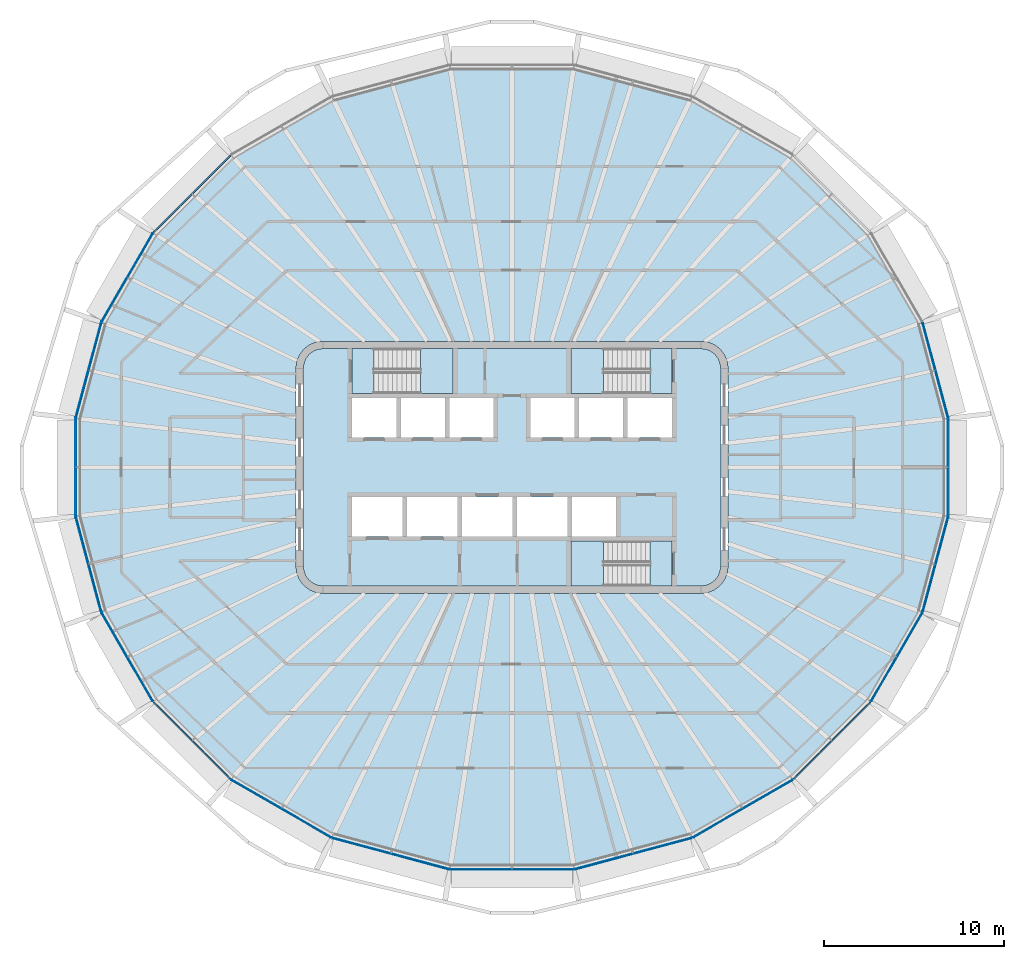
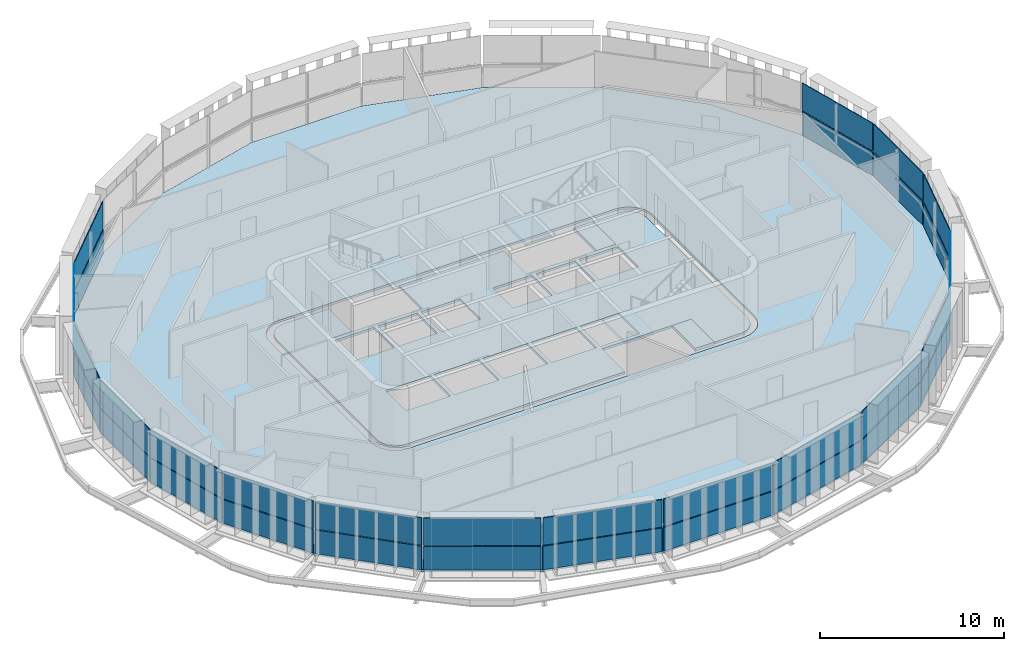
# One storey, part 7 of 18: 34 plates, 8 slabs, 20 elements without a shape of their own.
"""IFC4 building model written with IfcOpenShell, lengths in metres."""

from ifc_helpers import new_model, si_unit, direction, frame, origin, place, context, subcontext, project, spatial, polyline, outline, extrude, material, layer, layer_set, type_object, element, aggregate, save


model = new_model("IFC4")

# Units and contexts
model_context = context("Model", 3, precision=1e-05, world=origin(), true_north=direction((0.0, 1.0)))
body_context = subcontext(model_context, "Body", "Model", "MODEL_VIEW")
ifc_project = project(units=[si_unit("LENGTHUNIT", "METRE"), si_unit("AREAUNIT", "SQUARE_METRE"), si_unit("VOLUMEUNIT", "CUBIC_METRE"), si_unit("PLANEANGLEUNIT", "RADIAN"), si_unit("MASSUNIT", "GRAM", prefix="KILO")], contexts=[model_context])

# Site, building, storey
site_placement = place(None, origin())
site = spatial("IfcSite", under=ifc_project, at=site_placement, CompositionType="ELEMENT")
building_placement = place(site_placement, origin())
building = spatial("IfcBuilding", under=site, at=building_placement, Name="Sahrelin Media Tower", CompositionType="ELEMENT")
storey_placement = place(building_placement, frame((0.0, 0.0, 320.39990234375)))
storey = spatial("IfcBuildingStorey", under=building, at=storey_placement, Name="L71", CompositionType="ELEMENT", Elevation=320.39990234375)

# Slabs
ifc_material_1 = material(Name="Concrete C40/50", Category="concrete")
ifc_layer_1 = layer(ifc_material_1, 0.14990234375)
ifc_layer_set_1 = layer_set([ifc_layer_1], Name="Composite floor slab 150")
slab_type_1 = type_object("IfcSlabType", Name="Composite floor slab 150", PredefinedType="FLOOR", material=ifc_layer_set_1)
placement_1 = place(storey_placement, frame((0.0, 0.0, -0.14990234375)))
element("IfcSlab", 1, at=placement_1, inside=storey, type_object=slab_type_1, Name="Floor slab L71", PredefinedType="FLOOR", context=body_context, shape_type="SweptSolid", body=[
    extrude(outline(polyline([(24.22265625, -2.71728515625), (24.22265625, 2.71728515625), (22.794921875, 8.0458984375), (19.919677734375, 13.02587890625), (15.6083984375, 17.3369140625), (9.998779296875, 20.575927734375), (3.44873046875, 22.330810546875), (-3.44873046875, 22.330810546875), (-9.998779296875, 20.575927734375), (-15.6083984375, 17.3369140625), (-19.919677734375, 13.02587890625), (-22.794921875, 8.0458984375), (-24.22265625, 2.71728515625), (-24.22265625, -2.71728515625), (-22.794921875, -8.0458984375), (-19.919677734375, -13.02587890625), (-15.6083984375, -17.3369140625), (-9.998779296875, -20.575927734375), (-3.44873046875, -22.330810546875), (3.44873046875, -22.330810546875), (9.998779296875, -20.575927734375), (15.6083984375, -17.3369140625), (19.919677734375, -13.02587890625), (22.794921875, -8.0458984375), (24.22265625, -2.71728515625)]), holes=[polyline([(11.948974609375, 5.88818359375), (12.0, 5.5), (12.0, -5.5), (11.948974609375, -5.88818359375), (11.799072265625, -6.25), (11.560791015625, -6.560791015625), (11.25, -6.799072265625), (10.88818359375, -6.948974609375), (10.5, -7.0), (-10.5, -7.0), (-10.88818359375, -6.948974609375), (-11.25, -6.799072265625), (-11.560791015625, -6.560791015625), (-11.799072265625, -6.25), (-11.948974609375, -5.88818359375), (-12.0, -5.5), (-12.0, 5.5), (-11.948974609375, 5.88818359375), (-11.799072265625, 6.25), (-11.560791015625, 6.560791015625), (-11.25, 6.799072265625), (-10.88818359375, 6.948974609375), (-10.5, 7.0), (10.5, 7.0), (10.88818359375, 6.948974609375), (11.25, 6.799072265625), (11.560791015625, 6.560791015625), (11.799072265625, 6.25), (11.948974609375, 5.88818359375)])]), origin(), (0.0, 0.0, 1.0), 0.14990234375),
])
ifc_layer_2 = layer(ifc_material_1, 0.14990234375)
ifc_layer_set_2 = layer_set([ifc_layer_2], Name="Core floor slab 150")
slab_type_2 = type_object("IfcSlabType", Name="Core floor slab 150", PredefinedType="FLOOR", material=ifc_layer_set_2)
element("IfcSlab", 2, at=placement_1, inside=storey, type_object=slab_type_2, Name="Core floor", PredefinedType="FLOOR", context=body_context, shape_type="SweptSolid", body=[
    extrude(outline(polyline([(-11.60009765625, -5.473876953125), (-11.55908203125, -5.78369140625), (-11.44970703125, -6.04833984375), (-11.275390625, -6.275390625), (-11.04833984375, -6.44970703125), (-10.78369140625, -6.55908203125), (-10.473876953125, -6.60009765625), (3.27490234375, -6.60009765625), (3.27490234375, -4.10009765625), (8.875, -4.10009765625), (8.875, -6.60009765625), (10.473876953125, -6.60009765625), (10.78369140625, -6.55908203125), (11.04833984375, -6.44970703125), (11.275390625, -6.275390625), (11.44970703125, -6.04833984375), (11.55908203125, -5.78369140625), (11.60009765625, -5.473876953125), (11.60009765625, 5.473876953125), (11.55908203125, 5.78369140625), (11.44970703125, 6.04833984375), (11.275390625, 6.275390625), (11.04833984375, 6.44970703125), (10.78369140625, 6.55908203125), (10.473876953125, 6.60009765625), (8.875, 6.60009765625), (8.875, 4.10009765625), (3.27490234375, 4.10009765625), (3.27490234375, 6.60009765625), (-3.27490234375, 6.60009765625), (-3.27490234375, 4.10009765625), (-8.875, 4.10009765625), (-8.875, 6.60009765625), (-10.473876953125, 6.60009765625), (-10.78369140625, 6.55908203125), (-11.04833984375, 6.44970703125), (-11.275390625, 6.275390625), (-11.44970703125, 6.04833984375), (-11.55908203125, 5.78369140625), (-11.60009765625, 5.473876953125), (-11.60009765625, -5.473876953125)]), holes=[polyline([(-8.875, 3.85009765625), (-8.875, 1.64990234375), (-6.425048828125, 1.64990234375), (-6.425048828125, 3.85009765625), (-8.875, 3.85009765625)]), polyline([(-3.72509765625, 3.85009765625), (-6.175048828125, 3.85009765625), (-6.175048828125, 1.64990234375), (-3.72509765625, 1.64990234375), (-3.72509765625, 3.85009765625)]), polyline([(-1.02490234375, 1.64990234375), (-1.02490234375, 3.85009765625), (-3.47509765625, 3.85009765625), (-3.47509765625, 1.64990234375), (-1.02490234375, 1.64990234375)]), polyline([(1.02490234375, 1.64990234375), (3.47509765625, 1.64990234375), (3.47509765625, 3.85009765625), (1.02490234375, 3.85009765625), (1.02490234375, 1.64990234375)]), polyline([(3.72509765625, 3.85009765625), (3.72509765625, 1.64990234375), (6.175048828125, 1.64990234375), (6.175048828125, 3.85009765625), (3.72509765625, 3.85009765625)]), polyline([(8.875, 3.85009765625), (6.425048828125, 3.85009765625), (6.425048828125, 1.64990234375), (8.875, 1.64990234375), (8.875, 3.85009765625)]), polyline([(-6.074951171875, -3.85009765625), (-6.074951171875, -1.64990234375), (-8.875, -1.64990234375), (-8.875, -3.85009765625), (-6.074951171875, -3.85009765625)]), polyline([(-5.824951171875, -3.85009765625), (-3.02490234375, -3.85009765625), (-3.02490234375, -1.64990234375), (-5.824951171875, -1.64990234375), (-5.824951171875, -3.85009765625)]), polyline([(-2.77490234375, -1.64990234375), (-2.77490234375, -3.85009765625), (0.02490234375, -3.85009765625), (0.02490234375, -1.64990234375), (-2.77490234375, -1.64990234375)]), polyline([(3.074951171875, -1.64990234375), (0.27490234375, -1.64990234375), (0.27490234375, -3.85009765625), (3.074951171875, -3.85009765625), (3.074951171875, -1.64990234375)]), polyline([(5.77490234375, -3.85009765625), (5.77490234375, -1.64990234375), (3.324951171875, -1.64990234375), (3.324951171875, -3.85009765625), (5.77490234375, -3.85009765625)])]), origin(), (0.0, 0.0, 1.0), 0.14990234375),
])

# Curtain wall, plate
ifc_material_2 = material(Name="Champagne anodised aluminium 6063-T6", Category="aluminium")
ifc_layer_3 = layer(ifc_material_2, 0.14990234375)
ifc_layer_set_3 = layer_set([ifc_layer_3], Name="Tower ribbon curtain wall")
curtain_wall_type = type_object("IfcCurtainWallType", Name="Tower ribbon curtain wall", PredefinedType="NOTDEFINED", material=ifc_layer_set_3)
curtain_wall_1_placement = place(storey_placement, frame((24.24267578125, 0.0, 0.0), z_axis=(0.0, 0.0, 1.0), x_axis=(1.0, 0.0, 0.0)))
curtain_wall_1 = element("IfcCurtainWall", 3, at=curtain_wall_1_placement, inside=storey, type_object=curtain_wall_type, Name="L71:CW:L71-00", PredefinedType="NOTDEFINED")
ifc_material_3 = material(Name="Clear low-iron glazing", Category="glass")
ifc_layer_4 = layer(ifc_material_3, 0.048095703125)
ifc_layer_set_4 = layer_set([ifc_layer_4], Name="Glazing panel 48 mm CW1C")
plate_type_1 = type_object("IfcPlateType", Name="Glazing panel 48 mm CW1C", PredefinedType="CURTAIN_PANEL", material=ifc_layer_set_4)
plate_1_placement = place(storey_placement, frame((24.2626953125, -2.669921875, 1.630126953125), z_axis=(1.0, 0.0, 0.0), x_axis=(0.0, 1.0, 0.0)))
plate_1 = element("IfcPlate", 4, at=plate_1_placement, type_object=plate_type_1, Name="L71:CWP2:L71-00", PredefinedType="CURTAIN_PANEL", context=body_context, shape_type="SweptSolid", body=[
    extrude(outline(polyline([(0.0, 0.0), (5.33984375, 0.0), (5.33984375, 1.818603515625), (0.0, 1.818603515625), (0.0, 0.0)])), origin(), (0.0, 0.0, -1.0), 0.048095703125),
])

curtain_wall_2_placement = place(storey_placement, frame((23.5283203125, 5.38671875, 0.0), z_axis=(0.0, 0.0, 1.0), x_axis=(1.0, 0.0, 0.0)))
curtain_wall_2 = element("IfcCurtainWall", 5, at=curtain_wall_2_placement, inside=storey, type_object=curtain_wall_type, Name="L71:CW:L71-01", PredefinedType="NOTDEFINED")
plate_2_placement = place(storey_placement, frame((24.2490234375, 2.7734375, 1.630126953125), z_axis=(0.965934585463, 0.258786353208, 0.0), x_axis=(-0.258786353208, 0.965934585463, 0.0)))
plate_2 = element("IfcPlate", 6, at=plate_2_placement, type_object=plate_type_1, Name="L71:CWP2:L71-01", PredefinedType="CURTAIN_PANEL", context=body_context, shape_type="SweptSolid", body=[
    extrude(outline(polyline([(0.0, 0.0), (5.421875, 0.0), (5.421875, 1.818603515625), (0.0, 1.818603515625), (0.0, 0.0)])), origin(), (0.0, 0.0, -1.0), 0.048095703125),
])

curtain_wall_3_placement = place(storey_placement, frame((-17.7783203125, 15.195556640625, 0.0), z_axis=(0.0, 0.0, 1.0), x_axis=(1.0, 0.0, 0.0)))
curtain_wall_3 = element("IfcCurtainWall", 7, at=curtain_wall_3_placement, inside=storey, type_object=curtain_wall_type, Name="L71:CW:L71-09", PredefinedType="NOTDEFINED")
plate_3_placement = place(storey_placement, frame((-15.67041015625, 17.331787109375, 1.630126953125), z_axis=(-0.707106781187, 0.707106781187, 0.0), x_axis=(-0.707106781187, -0.707106781187, 0.0)))
plate_3 = element("IfcPlate", 8, at=plate_3_placement, type_object=plate_type_1, Name="L71:CWP2:L71-09", PredefinedType="CURTAIN_PANEL", context=body_context, shape_type="SweptSolid", body=[
    extrude(outline(polyline([(0.0, 0.0), (6.002197265625, 0.0), (6.002197265625, 1.818603515625), (0.0, 1.818603515625), (0.0, 0.0)])), origin(), (0.0, 0.0, -1.0), 0.048095703125),
])

curtain_wall_4_placement = place(storey_placement, frame((-21.374755859375, 10.5458984375, 0.0), z_axis=(0.0, 0.0, 1.0), x_axis=(1.0, 0.0, 0.0)))
curtain_wall_4 = element("IfcCurtainWall", 9, at=curtain_wall_4_placement, inside=storey, type_object=curtain_wall_type, Name="L71:CW:L71-10", PredefinedType="NOTDEFINED")
plate_4_placement = place(storey_placement, frame((-19.97802734375, 13.0048828125, 1.630126953125), z_axis=(-0.866032477425, 0.499987747895, 0.0), x_axis=(-0.499987747895, -0.866032477425, 0.0)))
plate_4 = element("IfcPlate", 10, at=plate_4_placement, type_object=plate_type_1, Name="L71:CWP2:L71-10", PredefinedType="CURTAIN_PANEL", context=body_context, shape_type="SweptSolid", body=[
    extrude(outline(polyline([(0.0, 0.0), (5.656005859375, 0.0), (5.656005859375, 1.818603515625), (0.0, 1.818603515625), (0.0, 0.0)])), origin(), (0.0, 0.0, -1.0), 0.048095703125),
])

curtain_wall_5_placement = place(storey_placement, frame((-23.5283203125, 5.38671875, 0.0), z_axis=(0.0, 0.0, 1.0), x_axis=(1.0, 0.0, 0.0)))
curtain_wall_5 = element("IfcCurtainWall", 11, at=curtain_wall_5_placement, inside=storey, type_object=curtain_wall_type, Name="L71:CW:L71-11", PredefinedType="NOTDEFINED")
plate_5_placement = place(storey_placement, frame((-22.845947265625, 8.010498046875, 1.630126953125), z_axis=(-0.965934585463, 0.258786353208, 0.0), x_axis=(-0.258786353208, -0.965934585463, 0.0)))
plate_5 = element("IfcPlate", 12, at=plate_5_placement, type_object=plate_type_1, Name="L71:CWP2:L71-11", PredefinedType="CURTAIN_PANEL", context=body_context, shape_type="SweptSolid", body=[
    extrude(outline(polyline([(0.0, 0.0), (5.421875, 0.0), (5.421875, 1.818603515625), (0.0, 1.818603515625), (0.0, 0.0)])), origin(), (0.0, 0.0, -1.0), 0.048095703125),
])

curtain_wall_6_placement = place(storey_placement, frame((-24.24267578125, 0.0, 0.0), z_axis=(0.0, 0.0, 1.0), x_axis=(1.0, 0.0, 0.0)))
curtain_wall_6 = element("IfcCurtainWall", 13, at=curtain_wall_6_placement, inside=storey, type_object=curtain_wall_type, Name="L71:CW:L71-12", PredefinedType="NOTDEFINED")
plate_6_placement = place(storey_placement, frame((-24.2626953125, 2.669921875, 1.630126953125), z_axis=(-1.0, 0.0, 0.0), x_axis=(0.0, -1.0, 0.0)))
plate_6 = element("IfcPlate", 14, at=plate_6_placement, type_object=plate_type_1, Name="L71:CWP2:L71-12", PredefinedType="CURTAIN_PANEL", context=body_context, shape_type="SweptSolid", body=[
    extrude(outline(polyline([(0.0, 0.0), (5.33984375, 0.0), (5.33984375, 1.818603515625), (0.0, 1.818603515625), (0.0, 0.0)])), origin(), (0.0, 0.0, -1.0), 0.048095703125),
])

curtain_wall_7_placement = place(storey_placement, frame((-23.5283203125, -5.38671875, 0.0), z_axis=(0.0, 0.0, 1.0), x_axis=(1.0, 0.0, 0.0)))
curtain_wall_7 = element("IfcCurtainWall", 15, at=curtain_wall_7_placement, inside=storey, type_object=curtain_wall_type, Name="L71:CW:L71-13", PredefinedType="NOTDEFINED")
plate_7_placement = place(storey_placement, frame((-24.2490234375, -2.7734375, 1.630126953125), z_axis=(-0.965934585463, -0.258786353208, 0.0), x_axis=(0.258786353208, -0.965934585463, 0.0)))
plate_7 = element("IfcPlate", 16, at=plate_7_placement, type_object=plate_type_1, Name="L71:CWP2:L71-13", PredefinedType="CURTAIN_PANEL", context=body_context, shape_type="SweptSolid", body=[
    extrude(outline(polyline([(0.0, 0.0), (5.421875, 0.0), (5.421875, 1.818603515625), (0.0, 1.818603515625), (0.0, 0.0)])), origin(), (0.0, 0.0, -1.0), 0.048095703125),
])

curtain_wall_8_placement = place(storey_placement, frame((-21.37451171875, -10.5458984375, 0.0), z_axis=(0.0, 0.0, 1.0), x_axis=(1.0, 0.0, 0.0)))
curtain_wall_8 = element("IfcCurtainWall", 17, at=curtain_wall_8_placement, inside=storey, type_object=curtain_wall_type, Name="L71:CW:L71-14", PredefinedType="NOTDEFINED")
plate_8_placement = place(storey_placement, frame((-22.805908203125, -8.106689453125, 1.630126953125), z_axis=(-0.866032477425, -0.499987747895, 0.0), x_axis=(0.499987747895, -0.866032477425, 0.0)))
plate_8 = element("IfcPlate", 18, at=plate_8_placement, type_object=plate_type_1, Name="L71:CWP2:L71-14", PredefinedType="CURTAIN_PANEL", context=body_context, shape_type="SweptSolid", body=[
    extrude(outline(polyline([(0.0, 0.0), (5.656005859375, 0.0), (5.656005859375, 1.818603515625), (0.0, 1.818603515625), (0.0, 0.0)])), origin(), (0.0, 0.0, -1.0), 0.048095703125),
])

curtain_wall_9_placement = place(storey_placement, frame((-17.7783203125, -15.195556640625, 0.0), z_axis=(0.0, 0.0, 1.0), x_axis=(1.0, 0.0, 0.0)))
curtain_wall_9 = element("IfcCurtainWall", 19, at=curtain_wall_9_placement, inside=storey, type_object=curtain_wall_type, Name="L71:CW:L71-15", PredefinedType="NOTDEFINED")
plate_9_placement = place(storey_placement, frame((-19.91455078125, -13.087646484375, 1.630126953125), z_axis=(-0.707106781187, -0.707106781187, 0.0), x_axis=(0.707106781187, -0.707106781187, 0.0)))
plate_9 = element("IfcPlate", 20, at=plate_9_placement, type_object=plate_type_1, Name="L71:CWP2:L71-15", PredefinedType="CURTAIN_PANEL", context=body_context, shape_type="SweptSolid", body=[
    extrude(outline(polyline([(0.0, 0.0), (6.002197265625, 0.0), (6.002197265625, 1.818603515625), (0.0, 1.818603515625), (0.0, 0.0)])), origin(), (0.0, 0.0, -1.0), 0.048095703125),
])

curtain_wall_10_placement = place(storey_placement, frame((-12.813720703125, -18.973876953125, 0.0), z_axis=(0.0, 0.0, 1.0), x_axis=(1.0, 0.0, 0.0)))
curtain_wall_10 = element("IfcCurtainWall", 21, at=curtain_wall_10_placement, inside=storey, type_object=curtain_wall_type, Name="L71:CW:L71-16", PredefinedType="NOTDEFINED")
plate_10_placement = place(storey_placement, frame((-15.58740234375, -17.395263671875, 1.630126953125), z_axis=(-0.500034784257, -0.866005320153, 0.0), x_axis=(0.866005320153, -0.500034784257, 0.0)))
plate_10 = element("IfcPlate", 22, at=plate_10_placement, type_object=plate_type_1, Name="L71:CWP2:L71-16", PredefinedType="CURTAIN_PANEL", context=body_context, shape_type="SweptSolid", body=[
    extrude(outline(polyline([(0.0, 0.0), (6.3828125, 0.0), (6.3828125, 1.818603515625), (0.0, 1.818603515625), (0.0, 0.0)])), origin(), (0.0, 0.0, -1.0), 0.048095703125),
])

curtain_wall_11_placement = place(storey_placement, frame((-6.72900390625, -21.47265625, 0.0), z_axis=(0.0, 0.0, 1.0), x_axis=(1.0, 0.0, 0.0)))
curtain_wall_11 = element("IfcCurtainWall", 23, at=curtain_wall_11_placement, inside=storey, type_object=curtain_wall_type, Name="L71:CW:L71-17", PredefinedType="NOTDEFINED")
plate_11_placement = place(storey_placement, frame((-9.96337890625, -20.626708984375, 1.630126953125), z_axis=(-0.25884194039, -0.965919691224, 0.0), x_axis=(0.965919691224, -0.25884194039, 0.0)))
plate_11 = element("IfcPlate", 24, at=plate_11_placement, type_object=plate_type_1, Name="L71:CWP2:L71-17", PredefinedType="CURTAIN_PANEL", context=body_context, shape_type="SweptSolid", body=[
    extrude(outline(polyline([(0.0, 0.0), (6.686279296875, 0.0), (6.686279296875, 1.818603515625), (0.0, 1.818603515625), (0.0, 0.0)])), origin(), (0.0, 0.0, -1.0), 0.048095703125),
])

curtain_wall_12_placement = place(storey_placement, frame((0.0, -22.350830078125, 0.0), z_axis=(0.0, 0.0, 1.0), x_axis=(1.0, 0.0, 0.0)))
curtain_wall_12 = element("IfcCurtainWall", 25, at=curtain_wall_12_placement, inside=storey, type_object=curtain_wall_type, Name="L71:CW:L71-18", PredefinedType="NOTDEFINED")
plate_12_placement = place(storey_placement, frame((-3.4013671875, -22.370849609375, 1.630126953125), z_axis=(0.0, -1.0, 0.0), x_axis=(1.0, 0.0, 0.0)))
plate_12 = element("IfcPlate", 26, at=plate_12_placement, type_object=plate_type_1, Name="L71:CWP2:L71-18", PredefinedType="CURTAIN_PANEL", context=body_context, shape_type="SweptSolid", body=[
    extrude(outline(polyline([(0.0, 0.0), (6.802734375, 0.0), (6.802734375, 1.818603515625), (0.0, 1.818603515625), (0.0, 0.0)])), origin(), (0.0, 0.0, -1.0), 0.048095703125),
])

curtain_wall_13_placement = place(storey_placement, frame((6.72900390625, -21.47265625, 0.0), z_axis=(0.0, 0.0, 1.0), x_axis=(1.0, 0.0, 0.0)))
curtain_wall_13 = element("IfcCurtainWall", 27, at=curtain_wall_13_placement, inside=storey, type_object=curtain_wall_type, Name="L71:CW:L71-19", PredefinedType="NOTDEFINED")
plate_13_placement = place(storey_placement, frame((3.5048828125, -22.357421875, 1.630126953125), z_axis=(0.25884194039, -0.965919691224, 0.0), x_axis=(0.965919691224, 0.25884194039, 0.0)))
plate_13 = element("IfcPlate", 28, at=plate_13_placement, type_object=plate_type_1, Name="L71:CWP2:L71-19", PredefinedType="CURTAIN_PANEL", context=body_context, shape_type="SweptSolid", body=[
    extrude(outline(polyline([(0.0, 0.0), (6.686279296875, 0.0), (6.686279296875, 1.818603515625), (0.0, 1.818603515625), (0.0, 0.0)])), origin(), (0.0, 0.0, -1.0), 0.048095703125),
])

curtain_wall_14_placement = place(storey_placement, frame((12.813720703125, -18.9736328125, 0.0), z_axis=(0.0, 0.0, 1.0), x_axis=(1.0, 0.0, 0.0)))
curtain_wall_14 = element("IfcCurtainWall", 29, at=curtain_wall_14_placement, inside=storey, type_object=curtain_wall_type, Name="L71:CW:L71-20", PredefinedType="NOTDEFINED")
plate_14_placement = place(storey_placement, frame((10.059814453125, -20.5869140625, 1.630126953125), z_axis=(0.500034784257, -0.866005320153, 0.0), x_axis=(0.866005320153, 0.500034784257, 0.0)))
plate_14 = element("IfcPlate", 30, at=plate_14_placement, type_object=plate_type_1, Name="L71:CWP2:L71-20", PredefinedType="CURTAIN_PANEL", context=body_context, shape_type="SweptSolid", body=[
    extrude(outline(polyline([(0.0, 0.0), (6.3828125, 0.0), (6.3828125, 1.818603515625), (0.0, 1.818603515625), (0.0, 0.0)])), origin(), (0.0, 0.0, -1.0), 0.048095703125),
])

curtain_wall_15_placement = place(storey_placement, frame((17.7783203125, -15.195556640625, 0.0), z_axis=(0.0, 0.0, 1.0), x_axis=(1.0, 0.0, 0.0)))
curtain_wall_15 = element("IfcCurtainWall", 31, at=curtain_wall_15_placement, inside=storey, type_object=curtain_wall_type, Name="L71:CW:L71-21", PredefinedType="NOTDEFINED")
plate_15_placement = place(storey_placement, frame((15.67041015625, -17.331787109375, 1.630126953125), z_axis=(0.707106781187, -0.707106781187, 0.0), x_axis=(0.707106781187, 0.707106781187, 0.0)))
plate_15 = element("IfcPlate", 32, at=plate_15_placement, type_object=plate_type_1, Name="L71:CWP2:L71-21", PredefinedType="CURTAIN_PANEL", context=body_context, shape_type="SweptSolid", body=[
    extrude(outline(polyline([(0.0, 0.0), (6.002197265625, 0.0), (6.002197265625, 1.818603515625), (0.0, 1.818603515625), (0.0, 0.0)])), origin(), (0.0, 0.0, -1.0), 0.048095703125),
])

curtain_wall_16_placement = place(storey_placement, frame((21.374755859375, -10.5458984375, 0.0), z_axis=(0.0, 0.0, 1.0), x_axis=(1.0, 0.0, 0.0)))
curtain_wall_16 = element("IfcCurtainWall", 33, at=curtain_wall_16_placement, inside=storey, type_object=curtain_wall_type, Name="L71:CW:L71-22", PredefinedType="NOTDEFINED")
plate_16_placement = place(storey_placement, frame((19.97802734375, -13.0048828125, 1.630126953125), z_axis=(0.866032477425, -0.499987747895, 0.0), x_axis=(0.499987747895, 0.866032477425, 0.0)))
plate_16 = element("IfcPlate", 34, at=plate_16_placement, type_object=plate_type_1, Name="L71:CWP2:L71-22", PredefinedType="CURTAIN_PANEL", context=body_context, shape_type="SweptSolid", body=[
    extrude(outline(polyline([(0.0, 0.0), (5.656005859375, 0.0), (5.656005859375, 1.818603515625), (0.0, 1.818603515625), (0.0, 0.0)])), origin(), (0.0, 0.0, -1.0), 0.048095703125),
])

curtain_wall_17_placement = place(storey_placement, frame((23.5283203125, -5.38671875, 0.0), z_axis=(0.0, 0.0, 1.0), x_axis=(1.0, 0.0, 0.0)))
curtain_wall_17 = element("IfcCurtainWall", 35, at=curtain_wall_17_placement, inside=storey, type_object=curtain_wall_type, Name="L71:CW:L71-23", PredefinedType="NOTDEFINED")
plate_17_placement = place(storey_placement, frame((22.845947265625, -8.010498046875, 1.630126953125), z_axis=(0.965934585463, -0.258786353208, 0.0), x_axis=(0.258786353208, 0.965934585463, 0.0)))
plate_17 = element("IfcPlate", 36, at=plate_17_placement, type_object=plate_type_1, Name="L71:CWP2:L71-23", PredefinedType="CURTAIN_PANEL", context=body_context, shape_type="SweptSolid", body=[
    extrude(outline(polyline([(0.0, 0.0), (5.421875, 0.0), (5.421875, 1.818603515625), (0.0, 1.818603515625), (0.0, 0.0)])), origin(), (0.0, 0.0, -1.0), 0.048095703125),
])

# Plate
ifc_material_4 = material(Name="Insulated spandrel panel")
ifc_layer_5 = layer(ifc_material_4, 0.06005859375)
ifc_layer_set_5 = layer_set([ifc_layer_5], Name="Spandrel panel 60 mm CW1")
plate_type_2 = type_object("IfcPlateType", Name="Spandrel panel 60 mm CW1", PredefinedType="SHEET", material=ifc_layer_set_5)
plate_18_placement = place(storey_placement, frame((24.2626953125, -2.669921875, 0.0), z_axis=(1.0, 0.0, 0.0), x_axis=(0.0, 1.0, 0.0)))
plate_18 = element("IfcPlate", 37, at=plate_18_placement, type_object=plate_type_2, Name="L71:CWP1:L71-00", PredefinedType="SHEET", context=body_context, shape_type="SweptSolid", body=[
    extrude(outline(polyline([(0.0, 0.0), (5.33984375, 0.0), (5.33984375, 1.570068359375), (0.0, 1.570068359375), (0.0, 0.0)])), origin(), (0.0, 0.0, -1.0), 0.06005859375),
])

aggregate(curtain_wall_1, [plate_18, plate_1])

plate_19_placement = place(storey_placement, frame((24.2490234375, 2.7734375, 0.0), z_axis=(0.965934585463, 0.258786353208, 0.0), x_axis=(-0.258786353208, 0.965934585463, 0.0)))
plate_19 = element("IfcPlate", 38, at=plate_19_placement, type_object=plate_type_2, Name="L71:CWP1:L71-01", PredefinedType="SHEET", context=body_context, shape_type="SweptSolid", body=[
    extrude(outline(polyline([(0.0, 0.0), (5.421875, 0.0), (5.421875, 1.570068359375), (0.0, 1.570068359375), (0.0, 0.0)])), origin(), (0.0, 0.0, -1.0), 0.06005859375),
])

aggregate(curtain_wall_2, [plate_19, plate_2])

plate_20_placement = place(storey_placement, frame((-15.67041015625, 17.331787109375, 0.0), z_axis=(-0.707106781187, 0.707106781187, 0.0), x_axis=(-0.707106781187, -0.707106781187, 0.0)))
plate_20 = element("IfcPlate", 39, at=plate_20_placement, type_object=plate_type_2, Name="L71:CWP1:L71-09", PredefinedType="SHEET", context=body_context, shape_type="SweptSolid", body=[
    extrude(outline(polyline([(0.0, 0.0), (6.002197265625, 0.0), (6.002197265625, 1.570068359375), (0.0, 1.570068359375), (0.0, 0.0)])), origin(), (0.0, 0.0, -1.0), 0.06005859375),
])

aggregate(curtain_wall_3, [plate_20, plate_3])

plate_21_placement = place(storey_placement, frame((-19.97802734375, 13.0048828125, 0.0), z_axis=(-0.866032477425, 0.499987747895, 0.0), x_axis=(-0.499987747895, -0.866032477425, 0.0)))
plate_21 = element("IfcPlate", 40, at=plate_21_placement, type_object=plate_type_2, Name="L71:CWP1:L71-10", PredefinedType="SHEET", context=body_context, shape_type="SweptSolid", body=[
    extrude(outline(polyline([(0.0, 0.0), (5.656005859375, 0.0), (5.656005859375, 1.570068359375), (0.0, 1.570068359375), (0.0, 0.0)])), origin(), (0.0, 0.0, -1.0), 0.06005859375),
])

aggregate(curtain_wall_4, [plate_21, plate_4])

plate_22_placement = place(storey_placement, frame((-22.845947265625, 8.010498046875, 0.0), z_axis=(-0.965934585463, 0.258786353208, 0.0), x_axis=(-0.258786353208, -0.965934585463, 0.0)))
plate_22 = element("IfcPlate", 41, at=plate_22_placement, type_object=plate_type_2, Name="L71:CWP1:L71-11", PredefinedType="SHEET", context=body_context, shape_type="SweptSolid", body=[
    extrude(outline(polyline([(0.0, 0.0), (5.421875, 0.0), (5.421875, 1.570068359375), (0.0, 1.570068359375), (0.0, 0.0)])), origin(), (0.0, 0.0, -1.0), 0.06005859375),
])

aggregate(curtain_wall_5, [plate_22, plate_5])

plate_23_placement = place(storey_placement, frame((-24.2626953125, 2.669921875, 0.0), z_axis=(-1.0, 0.0, 0.0), x_axis=(0.0, -1.0, 0.0)))
plate_23 = element("IfcPlate", 42, at=plate_23_placement, type_object=plate_type_2, Name="L71:CWP1:L71-12", PredefinedType="SHEET", context=body_context, shape_type="SweptSolid", body=[
    extrude(outline(polyline([(0.0, 0.0), (5.33984375, 0.0), (5.33984375, 1.570068359375), (0.0, 1.570068359375), (0.0, 0.0)])), origin(), (0.0, 0.0, -1.0), 0.06005859375),
])

aggregate(curtain_wall_6, [plate_23, plate_6])

plate_24_placement = place(storey_placement, frame((-24.2490234375, -2.7734375, 0.0), z_axis=(-0.965934585463, -0.258786353208, 0.0), x_axis=(0.258786353208, -0.965934585463, 0.0)))
plate_24 = element("IfcPlate", 43, at=plate_24_placement, type_object=plate_type_2, Name="L71:CWP1:L71-13", PredefinedType="SHEET", context=body_context, shape_type="SweptSolid", body=[
    extrude(outline(polyline([(0.0, 0.0), (5.421875, 0.0), (5.421875, 1.570068359375), (0.0, 1.570068359375), (0.0, 0.0)])), origin(), (0.0, 0.0, -1.0), 0.06005859375),
])

aggregate(curtain_wall_7, [plate_24, plate_7])

plate_25_placement = place(storey_placement, frame((-22.805908203125, -8.106689453125, 0.0), z_axis=(-0.866032477425, -0.499987747895, 0.0), x_axis=(0.499987747895, -0.866032477425, 0.0)))
plate_25 = element("IfcPlate", 44, at=plate_25_placement, type_object=plate_type_2, Name="L71:CWP1:L71-14", PredefinedType="SHEET", context=body_context, shape_type="SweptSolid", body=[
    extrude(outline(polyline([(0.0, 0.0), (5.656005859375, 0.0), (5.656005859375, 1.570068359375), (0.0, 1.570068359375), (0.0, 0.0)])), origin(), (0.0, 0.0, -1.0), 0.06005859375),
])

aggregate(curtain_wall_8, [plate_25, plate_8])

plate_26_placement = place(storey_placement, frame((-19.91455078125, -13.087646484375, 0.0), z_axis=(-0.707106781187, -0.707106781187, 0.0), x_axis=(0.707106781187, -0.707106781187, 0.0)))
plate_26 = element("IfcPlate", 45, at=plate_26_placement, type_object=plate_type_2, Name="L71:CWP1:L71-15", PredefinedType="SHEET", context=body_context, shape_type="SweptSolid", body=[
    extrude(outline(polyline([(0.0, 0.0), (6.002197265625, 0.0), (6.002197265625, 1.570068359375), (0.0, 1.570068359375), (0.0, 0.0)])), origin(), (0.0, 0.0, -1.0), 0.06005859375),
])

aggregate(curtain_wall_9, [plate_26, plate_9])

plate_27_placement = place(storey_placement, frame((-15.58740234375, -17.395263671875, 0.0), z_axis=(-0.500034784257, -0.866005320153, 0.0), x_axis=(0.866005320153, -0.500034784257, 0.0)))
plate_27 = element("IfcPlate", 46, at=plate_27_placement, type_object=plate_type_2, Name="L71:CWP1:L71-16", PredefinedType="SHEET", context=body_context, shape_type="SweptSolid", body=[
    extrude(outline(polyline([(0.0, 0.0), (6.3828125, 0.0), (6.3828125, 1.570068359375), (0.0, 1.570068359375), (0.0, 0.0)])), origin(), (0.0, 0.0, -1.0), 0.06005859375),
])

aggregate(curtain_wall_10, [plate_27, plate_10])

plate_28_placement = place(storey_placement, frame((-9.96337890625, -20.626708984375, 0.0), z_axis=(-0.25884194039, -0.965919691224, 0.0), x_axis=(0.965919691224, -0.25884194039, 0.0)))
plate_28 = element("IfcPlate", 47, at=plate_28_placement, type_object=plate_type_2, Name="L71:CWP1:L71-17", PredefinedType="SHEET", context=body_context, shape_type="SweptSolid", body=[
    extrude(outline(polyline([(0.0, 0.0), (6.686279296875, 0.0), (6.686279296875, 1.570068359375), (0.0, 1.570068359375), (0.0, 0.0)])), origin(), (0.0, 0.0, -1.0), 0.06005859375),
])

aggregate(curtain_wall_11, [plate_28, plate_11])

plate_29_placement = place(storey_placement, frame((-3.4013671875, -22.370849609375, 0.0), z_axis=(0.0, -1.0, 0.0), x_axis=(1.0, 0.0, 0.0)))
plate_29 = element("IfcPlate", 48, at=plate_29_placement, type_object=plate_type_2, Name="L71:CWP1:L71-18", PredefinedType="SHEET", context=body_context, shape_type="SweptSolid", body=[
    extrude(outline(polyline([(0.0, 0.0), (6.802734375, 0.0), (6.802734375, 1.570068359375), (0.0, 1.570068359375), (0.0, 0.0)])), origin(), (0.0, 0.0, -1.0), 0.06005859375),
])

aggregate(curtain_wall_12, [plate_29, plate_12])

plate_30_placement = place(storey_placement, frame((3.5048828125, -22.357421875, 0.0), z_axis=(0.25884194039, -0.965919691224, 0.0), x_axis=(0.965919691224, 0.25884194039, 0.0)))
plate_30 = element("IfcPlate", 49, at=plate_30_placement, type_object=plate_type_2, Name="L71:CWP1:L71-19", PredefinedType="SHEET", context=body_context, shape_type="SweptSolid", body=[
    extrude(outline(polyline([(0.0, 0.0), (6.686279296875, 0.0), (6.686279296875, 1.570068359375), (0.0, 1.570068359375), (0.0, 0.0)])), origin(), (0.0, 0.0, -1.0), 0.06005859375),
])

aggregate(curtain_wall_13, [plate_30, plate_13])

plate_31_placement = place(storey_placement, frame((10.059814453125, -20.5869140625, 0.0), z_axis=(0.500034784257, -0.866005320153, 0.0), x_axis=(0.866005320153, 0.500034784257, 0.0)))
plate_31 = element("IfcPlate", 50, at=plate_31_placement, type_object=plate_type_2, Name="L71:CWP1:L71-20", PredefinedType="SHEET", context=body_context, shape_type="SweptSolid", body=[
    extrude(outline(polyline([(0.0, 0.0), (6.3828125, 0.0), (6.3828125, 1.570068359375), (0.0, 1.570068359375), (0.0, 0.0)])), origin(), (0.0, 0.0, -1.0), 0.06005859375),
])

aggregate(curtain_wall_14, [plate_31, plate_14])

plate_32_placement = place(storey_placement, frame((15.67041015625, -17.331787109375, 0.0), z_axis=(0.707106781187, -0.707106781187, 0.0), x_axis=(0.707106781187, 0.707106781187, 0.0)))
plate_32 = element("IfcPlate", 51, at=plate_32_placement, type_object=plate_type_2, Name="L71:CWP1:L71-21", PredefinedType="SHEET", context=body_context, shape_type="SweptSolid", body=[
    extrude(outline(polyline([(0.0, 0.0), (6.002197265625, 0.0), (6.002197265625, 1.570068359375), (0.0, 1.570068359375), (0.0, 0.0)])), origin(), (0.0, 0.0, -1.0), 0.06005859375),
])

aggregate(curtain_wall_15, [plate_32, plate_15])

plate_33_placement = place(storey_placement, frame((19.97802734375, -13.0048828125, 0.0), z_axis=(0.866032477425, -0.499987747895, 0.0), x_axis=(0.499987747895, 0.866032477425, 0.0)))
plate_33 = element("IfcPlate", 52, at=plate_33_placement, type_object=plate_type_2, Name="L71:CWP1:L71-22", PredefinedType="SHEET", context=body_context, shape_type="SweptSolid", body=[
    extrude(outline(polyline([(0.0, 0.0), (5.656005859375, 0.0), (5.656005859375, 1.570068359375), (0.0, 1.570068359375), (0.0, 0.0)])), origin(), (0.0, 0.0, -1.0), 0.06005859375),
])

aggregate(curtain_wall_16, [plate_33, plate_16])

plate_34_placement = place(storey_placement, frame((22.845947265625, -8.010498046875, 0.0), z_axis=(0.965934585463, -0.258786353208, 0.0), x_axis=(0.258786353208, 0.965934585463, 0.0)))
plate_34 = element("IfcPlate", 53, at=plate_34_placement, type_object=plate_type_2, Name="L71:CWP1:L71-23", PredefinedType="SHEET", context=body_context, shape_type="SweptSolid", body=[
    extrude(outline(polyline([(0.0, 0.0), (5.421875, 0.0), (5.421875, 1.570068359375), (0.0, 1.570068359375), (0.0, 0.0)])), origin(), (0.0, 0.0, -1.0), 0.06005859375),
])

aggregate(curtain_wall_17, [plate_34, plate_17])

# Stair, slabs
stair_type = type_object("IfcStairType", Name="Exit stair 1200", PredefinedType="HALF_TURN_STAIR", material=ifc_material_1)
placement_2 = place(storey_placement, origin())
stair_1 = element("IfcStair", 54, at=placement_2, inside=storey, type_object=stair_type, Name="L71 Exit stair ST1", PredefinedType="HALF_TURN_STAIR")
ifc_layer_6 = layer(ifc_material_1, 0.199951171875)
ifc_layer_set_6 = layer_set([ifc_layer_6], Name="Stair landing 200")
slab_type_3 = type_object("IfcSlabType", Name="Stair landing 200", PredefinedType="LANDING", material=ifc_layer_set_6)
placement_3 = place(storey_placement, frame((0.0, 0.0, 1.800048828125)))
slab_3 = element("IfcSlab", 55, at=placement_3, type_object=slab_type_3, Name="ST1 landing 1", PredefinedType="LANDING", context=body_context, shape_type="SweptSolid", body=[
    extrude(outline(polyline([(-5.074951171875, 4.10009765625), (-3.27490234375, 4.10009765625), (-3.27490234375, 6.60009765625), (-5.074951171875, 6.60009765625), (-5.074951171875, 4.10009765625)])), origin(), (0.0, 0.0, 1.0), 0.199951171875),
])
placement_4 = place(storey_placement, frame((0.0, 0.0, -0.199951171875)))
slab_4 = element("IfcSlab", 56, at=placement_4, type_object=slab_type_3, Name="ST1 landing 2", PredefinedType="LANDING", context=body_context, shape_type="SweptSolid", body=[
    extrude(outline(polyline([(-8.875, 4.10009765625), (-7.675048828125, 4.10009765625), (-7.675048828125, 6.60009765625), (-8.875, 6.60009765625), (-8.875, 4.10009765625)])), origin(), (0.0, 0.0, 1.0), 0.199951171875),
])
aggregate(stair_1, [slab_3, slab_4])

stair_2 = element("IfcStair", 57, at=placement_2, inside=storey, type_object=stair_type, Name="L71 Exit stair ST3", PredefinedType="HALF_TURN_STAIR")
slab_5 = element("IfcSlab", 58, at=placement_3, type_object=slab_type_3, Name="ST3 landing 1", PredefinedType="LANDING", context=body_context, shape_type="SweptSolid", body=[
    extrude(outline(polyline([(5.074951171875, 6.60009765625), (3.27490234375, 6.60009765625), (3.27490234375, 4.10009765625), (5.074951171875, 4.10009765625), (5.074951171875, 6.60009765625)])), origin(), (0.0, 0.0, 1.0), 0.199951171875),
])
slab_6 = element("IfcSlab", 59, at=placement_4, type_object=slab_type_3, Name="ST3 landing 2", PredefinedType="LANDING", context=body_context, shape_type="SweptSolid", body=[
    extrude(outline(polyline([(8.875, 6.60009765625), (7.675048828125, 6.60009765625), (7.675048828125, 4.10009765625), (8.875, 4.10009765625), (8.875, 6.60009765625)])), origin(), (0.0, 0.0, 1.0), 0.199951171875),
])
aggregate(stair_2, [slab_5, slab_6])

stair_3 = element("IfcStair", 60, at=placement_2, inside=storey, type_object=stair_type, Name="L71 Exit stair ST2", PredefinedType="HALF_TURN_STAIR")
slab_7 = element("IfcSlab", 61, at=placement_3, type_object=slab_type_3, Name="ST2 landing 1", PredefinedType="LANDING", context=body_context, shape_type="SweptSolid", body=[
    extrude(outline(polyline([(5.074951171875, -4.10009765625), (3.27490234375, -4.10009765625), (3.27490234375, -6.60009765625), (5.074951171875, -6.60009765625), (5.074951171875, -4.10009765625)])), origin(), (0.0, 0.0, 1.0), 0.199951171875),
])
slab_8 = element("IfcSlab", 62, at=placement_4, type_object=slab_type_3, Name="ST2 landing 2", PredefinedType="LANDING", context=body_context, shape_type="SweptSolid", body=[
    extrude(outline(polyline([(8.875, -4.10009765625), (7.675048828125, -4.10009765625), (7.675048828125, -6.60009765625), (8.875, -6.60009765625), (8.875, -4.10009765625)])), origin(), (0.0, 0.0, 1.0), 0.199951171875),
])
aggregate(stair_3, [slab_7, slab_8])

save(model, "model.ifc")
